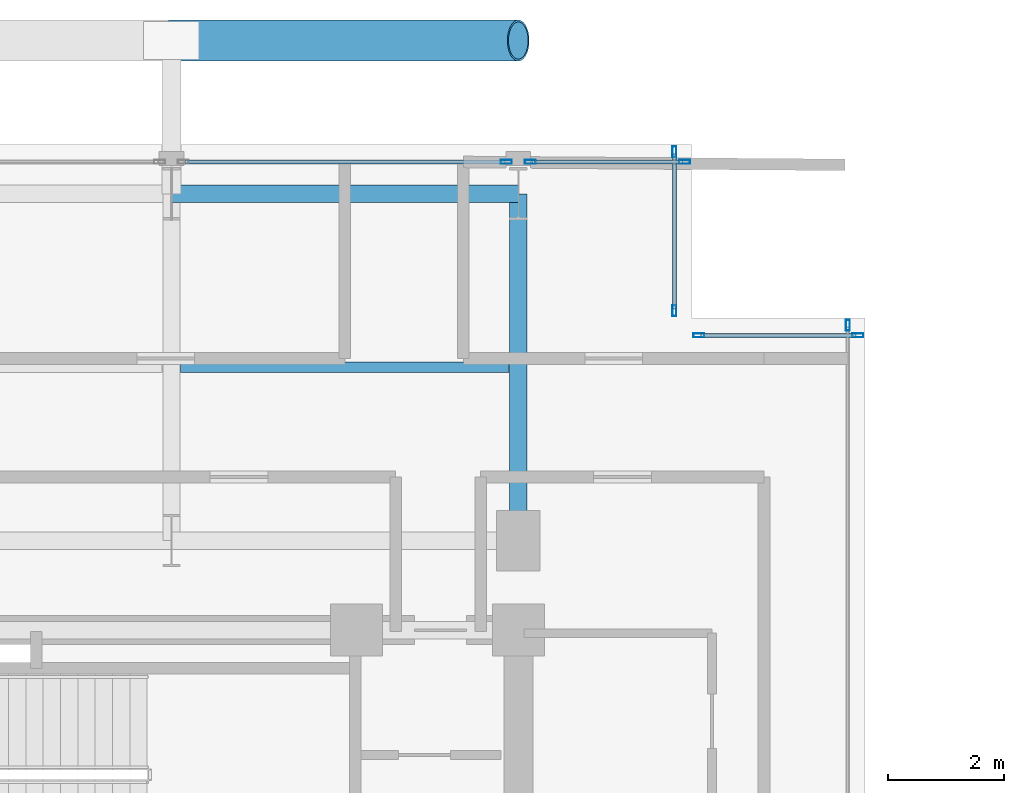
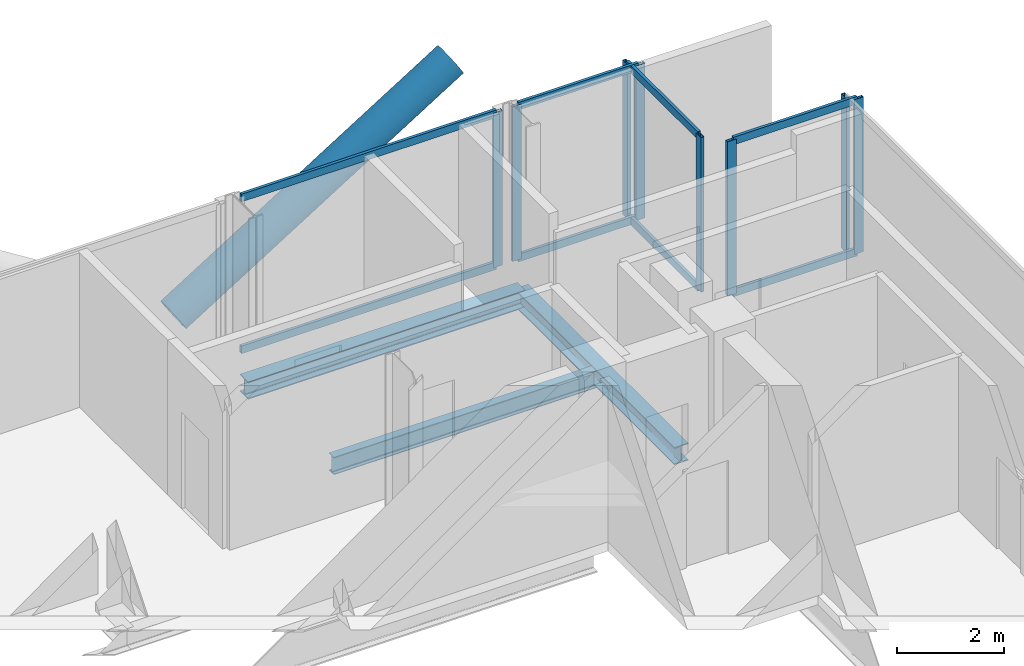
# One storey, part 14 of 22: 17 members, 3 beams, 5 elements without a shape of their own.
"""IFC4 building model written with IfcOpenShell, lengths in metres."""

from ifc_helpers import new_model, si_unit, direction, frame, origin, origin_2d, place, context, subcontext, project, spatial, hollow_rectangle, hollow_circle, i_section, extrude, material, layer, layer_set, material_profile, profile_set, type_object, element, aggregate, save


model = new_model("IFC4")

# Units and contexts
model_context = context("Model", 3, precision=1e-05, world=origin(), true_north=direction((0.0, 1.0)))
body_context = subcontext(model_context, "Body", "Model", "MODEL_VIEW")
ifc_project = project(units=[si_unit("LENGTHUNIT", "METRE"), si_unit("AREAUNIT", "SQUARE_METRE"), si_unit("VOLUMEUNIT", "CUBIC_METRE"), si_unit("PLANEANGLEUNIT", "RADIAN"), si_unit("MASSUNIT", "GRAM", prefix="KILO"), si_unit("THERMODYNAMICTEMPERATUREUNIT", "KELVIN"), si_unit("POWERUNIT", "WATT")], contexts=[model_context])

# Site, building, storey
site_placement = place(None, origin())
site = spatial("IfcSite", under=ifc_project, at=site_placement, CompositionType="ELEMENT")
building_placement = place(site_placement, origin())
building = spatial("IfcBuilding", under=site, at=building_placement, Name="Svarakhadi Broadcast Tower", CompositionType="ELEMENT")
storey_placement = place(building_placement, frame((0.0, 0.0, 176.699951171875)))
storey = spatial("IfcBuildingStorey", under=building, at=storey_placement, Name="L43", CompositionType="ELEMENT", Elevation=176.699951171875)

# Beam
ifc_material_1 = material(Name="Steel S355J2 (IS 2062 E350C)", Category="steel")
ifc_material_profile_1 = material_profile(ifc_material_1, i_section(OverallWidth=0.179931640625, OverallDepth=0.39990234375, WebThickness=0.008544921875, FlangeThickness=0.013427734375, FilletRadius=0.02099609375, at=origin_2d()), Name="NPB 400x180x66")
ifc_profile_set_1 = profile_set([ifc_material_profile_1], Name="Steel S355J2 (IS 2062 E350C)")
beam_type_1 = type_object("IfcBeamType", Name="Beam_NPB400", PredefinedType="BEAM", material=ifc_profile_set_1)
beam_placement = place(storey_placement, frame((12.159912109375, 32.14990234375, -0.409912109375), z_axis=(1.0, 0.0, 0.0), x_axis=(0.0, 1.0, 0.0)))
element("IfcBeam", 1, at=beam_placement, inside=storey, type_object=beam_type_1, Name="L43 Secondary Composite Beam SB012", PredefinedType="BEAM", context=body_context, shape_type="SweptSolid", body=[
    extrude(i_section(OverallWidth=0.179931640625, OverallDepth=0.39990234375, WebThickness=0.008544921875, FlangeThickness=0.013427734375, FilletRadius=0.02099609375, at=origin_2d()), origin(), (0.0, 0.0, 1.0), 5.68017578125),
])

# Curtain wall, member
ifc_material_2 = material(Name="Anodised Bronze Aluminium AA 6063-T6", Category="aluminium")
ifc_layer = layer(ifc_material_2, 0.18994140625)
ifc_layer_set = layer_set([ifc_layer], Name="Anodised Bronze Aluminium AA 6063-T6")
curtain_wall_type = type_object("IfcCurtainWallType", Name="CW_Sys_04", PredefinedType="NOTDEFINED", material=ifc_layer_set)
curtain_wall_1_placement = place(storey_placement, origin())
curtain_wall_1 = element("IfcCurtainWall", 2, at=curtain_wall_1_placement, inside=storey, type_object=curtain_wall_type, Name="L43 Unitised Facade Curtain Wall 06 Bay 2", PredefinedType="NOTDEFINED")
ifc_material_profile_2 = material_profile(ifc_material_2, hollow_rectangle(XDim=0.070068359375, YDim=0.18994140625, WallThickness=0.005615234375, at=origin_2d()), Name="ALU MULLION 190x70x6")
ifc_profile_set_2 = profile_set([ifc_material_profile_2], Name="Anodised Bronze Aluminium AA 6063-T6")
member_type_1 = type_object("IfcMemberType", Name="CW_Sys_04_Mul", PredefinedType="MULLION", material=ifc_profile_set_2)
member_1_placement = place(storey_placement, frame((17.794921875, 35.699951171875, 0.0), z_axis=(0.0, 0.0, 1.0), x_axis=(0.0, 1.0, 0.0)))
member_1 = element("IfcMember", 3, at=member_1_placement, type_object=member_type_1, Name="CW-04 mullion 2", PredefinedType="MULLION", context=body_context, shape_type="SweptSolid", body=[
    extrude(hollow_rectangle(XDim=0.070068359375, YDim=0.18994140625, WallThickness=0.005615234375, at=origin_2d()), origin(), (0.0, 0.0, 1.0), 3.5400390625),
])

# Curtain wall, members
curtain_wall_2_placement = place(storey_placement, origin())
curtain_wall_2 = element("IfcCurtainWall", 4, at=curtain_wall_2_placement, inside=storey, type_object=curtain_wall_type, Name="L43 Unitised Facade Curtain Wall 06 Bay 3", PredefinedType="NOTDEFINED")
member_2_placement = place(storey_placement, frame((18.205078125, 35.699951171875, 0.0), z_axis=(0.0, 0.0, 1.0), x_axis=(0.0, 1.0, 0.0)))
member_2 = element("IfcMember", 5, at=member_2_placement, type_object=member_type_1, Name="CW-04 mullion 1", PredefinedType="MULLION", context=body_context, shape_type="SweptSolid", body=[
    extrude(hollow_rectangle(XDim=0.070068359375, YDim=0.18994140625, WallThickness=0.005615234375, at=origin_2d()), origin(), (0.0, 0.0, 1.0), 3.5400390625),
])
member_3_placement = place(storey_placement, frame((20.875, 35.699951171875, 0.0), z_axis=(0.0, 0.0, 1.0), x_axis=(0.0, 1.0, 0.0)))
member_3 = element("IfcMember", 6, at=member_3_placement, type_object=member_type_1, Name="CW-04 mullion 2", PredefinedType="MULLION", context=body_context, shape_type="SweptSolid", body=[
    extrude(hollow_rectangle(XDim=0.070068359375, YDim=0.18994140625, WallThickness=0.005615234375, at=origin_2d()), origin(), (0.0, 0.0, 1.0), 3.5400390625),
])

curtain_wall_3_placement = place(storey_placement, origin())
curtain_wall_3 = element("IfcCurtainWall", 7, at=curtain_wall_3_placement, inside=storey, type_object=curtain_wall_type, Name="L43 Unitised Facade Curtain Wall 07", PredefinedType="NOTDEFINED")
member_4_placement = place(storey_placement, frame((20.699951171875, 35.875, 0.0), z_axis=(0.0, 0.0, 1.0), x_axis=(1.0, 0.0, 0.0)))
member_4 = element("IfcMember", 8, at=member_4_placement, type_object=member_type_1, Name="CW-04 mullion 1", PredefinedType="MULLION", context=body_context, shape_type="SweptSolid", body=[
    extrude(hollow_rectangle(XDim=0.070068359375, YDim=0.18994140625, WallThickness=0.005615234375, at=origin_2d()), origin(), (0.0, 0.0, 1.0), 3.5400390625),
])
member_5_placement = place(storey_placement, frame((20.699951171875, 33.125, 0.0), z_axis=(0.0, 0.0, 1.0), x_axis=(1.0, 0.0, 0.0)))
member_5 = element("IfcMember", 9, at=member_5_placement, type_object=member_type_1, Name="CW-04 mullion 2", PredefinedType="MULLION", context=body_context, shape_type="SweptSolid", body=[
    extrude(hollow_rectangle(XDim=0.070068359375, YDim=0.18994140625, WallThickness=0.005615234375, at=origin_2d()), origin(), (0.0, 0.0, 1.0), 3.5400390625),
])

curtain_wall_4_placement = place(storey_placement, origin())
curtain_wall_4 = element("IfcCurtainWall", 10, at=curtain_wall_4_placement, inside=storey, type_object=curtain_wall_type, Name="L43 Unitised Facade Curtain Wall 08", PredefinedType="NOTDEFINED")
member_6_placement = place(storey_placement, frame((21.125, 32.699951171875, 0.0), z_axis=(0.0, 0.0, 1.0), x_axis=(0.0, 1.0, 0.0)))
member_6 = element("IfcMember", 11, at=member_6_placement, type_object=member_type_1, Name="CW-04 mullion 1", PredefinedType="MULLION", context=body_context, shape_type="SweptSolid", body=[
    extrude(hollow_rectangle(XDim=0.070068359375, YDim=0.18994140625, WallThickness=0.005615234375, at=origin_2d()), origin(), (0.0, 0.0, 1.0), 3.5400390625),
])
member_7_placement = place(storey_placement, frame((23.875, 32.699951171875, 0.0), z_axis=(0.0, 0.0, 1.0), x_axis=(0.0, 1.0, 0.0)))
member_7 = element("IfcMember", 12, at=member_7_placement, type_object=member_type_1, Name="CW-04 mullion 2", PredefinedType="MULLION", context=body_context, shape_type="SweptSolid", body=[
    extrude(hollow_rectangle(XDim=0.070068359375, YDim=0.18994140625, WallThickness=0.005615234375, at=origin_2d()), origin(), (0.0, 0.0, 1.0), 3.5400390625),
])

# Curtain wall, member
curtain_wall_5_placement = place(storey_placement, origin())
curtain_wall_5 = element("IfcCurtainWall", 13, at=curtain_wall_5_placement, inside=storey, type_object=curtain_wall_type, Name="L43 Unitised Facade Curtain Wall 09", PredefinedType="NOTDEFINED")
member_8_placement = place(storey_placement, frame((23.699951171875, 32.875, 0.0), z_axis=(0.0, 0.0, 1.0), x_axis=(1.0, 0.0, 0.0)))
member_8 = element("IfcMember", 14, at=member_8_placement, type_object=member_type_1, Name="CW-04 mullion 1", PredefinedType="MULLION", context=body_context, shape_type="SweptSolid", body=[
    extrude(hollow_rectangle(XDim=0.070068359375, YDim=0.18994140625, WallThickness=0.005615234375, at=origin_2d()), origin(), (0.0, 0.0, 1.0), 3.5400390625),
])
aggregate(curtain_wall_5, [member_8])

# Member
ifc_material_profile_3 = material_profile(ifc_material_2, hollow_rectangle(XDim=0.06494140625, YDim=0.175048828125, WallThickness=0.0048828125, at=origin_2d()), Name="ALU TRANSOM 175x65x5")
ifc_profile_set_3 = profile_set([ifc_material_profile_3], Name="Anodised Bronze Aluminium AA 6063-T6")
member_type_2 = type_object("IfcMemberType", Name="CW_Sys_04_Trn", PredefinedType="USERDEFINED", material=ifc_profile_set_3)
member_9_placement = place(storey_placement, frame((12.239990234375, 35.699951171875, 0.032470703125), z_axis=(1.0, 0.0, 0.0), x_axis=(0.0, 1.0, 0.0)))
member_9 = element("IfcMember", 15, at=member_9_placement, type_object=member_type_2, Name="CW-04 transom 1.1", ObjectType="TRANSOM", PredefinedType="USERDEFINED", context=body_context, shape_type="SweptSolid", body=[
    extrude(hollow_rectangle(XDim=0.06494140625, YDim=0.175048828125, WallThickness=0.0048828125, at=origin_2d()), origin(), (0.0, 0.0, 1.0), 5.52001953125),
])

member_10_placement = place(storey_placement, frame((12.239990234375, 35.699951171875, 3.507568359375), z_axis=(1.0, 0.0, 0.0), x_axis=(0.0, 1.0, 0.0)))
member_10 = element("IfcMember", 16, at=member_10_placement, type_object=member_type_2, Name="CW-04 transom 1.2", ObjectType="TRANSOM", PredefinedType="USERDEFINED", context=body_context, shape_type="SweptSolid", body=[
    extrude(hollow_rectangle(XDim=0.06494140625, YDim=0.175048828125, WallThickness=0.0048828125, at=origin_2d()), origin(), (0.0, 0.0, 1.0), 5.52001953125),
])

aggregate(curtain_wall_1, [member_1, member_9, member_10])

member_11_placement = place(storey_placement, frame((18.239990234375, 35.699951171875, 0.032470703125), z_axis=(1.0, 0.0, 0.0), x_axis=(0.0, 1.0, 0.0)))
member_11 = element("IfcMember", 17, at=member_11_placement, type_object=member_type_2, Name="CW-04 transom 1.1", ObjectType="TRANSOM", PredefinedType="USERDEFINED", context=body_context, shape_type="SweptSolid", body=[
    extrude(hollow_rectangle(XDim=0.06494140625, YDim=0.175048828125, WallThickness=0.0048828125, at=origin_2d()), origin(), (0.0, 0.0, 1.0), 2.60009765625),
])

member_12_placement = place(storey_placement, frame((18.239990234375, 35.699951171875, 3.507568359375), z_axis=(1.0, 0.0, 0.0), x_axis=(0.0, 1.0, 0.0)))
member_12 = element("IfcMember", 18, at=member_12_placement, type_object=member_type_2, Name="CW-04 transom 1.2", ObjectType="TRANSOM", PredefinedType="USERDEFINED", context=body_context, shape_type="SweptSolid", body=[
    extrude(hollow_rectangle(XDim=0.06494140625, YDim=0.175048828125, WallThickness=0.0048828125, at=origin_2d()), origin(), (0.0, 0.0, 1.0), 2.60009765625),
])

aggregate(curtain_wall_2, [member_2, member_3, member_11, member_12])

member_13_placement = place(storey_placement, frame((20.699951171875, 35.840087890625, 0.032470703125), z_axis=(0.0, -1.0, 0.0), x_axis=(1.0, 0.0, 0.0)))
member_13 = element("IfcMember", 19, at=member_13_placement, type_object=member_type_2, Name="CW-04 transom 1.1", ObjectType="TRANSOM", PredefinedType="USERDEFINED", context=body_context, shape_type="SweptSolid", body=[
    extrude(hollow_rectangle(XDim=0.06494140625, YDim=0.175048828125, WallThickness=0.0048828125, at=origin_2d()), origin(), (0.0, 0.0, 1.0), 2.68017578125),
])

member_14_placement = place(storey_placement, frame((20.699951171875, 35.840087890625, 3.507568359375), z_axis=(0.0, -1.0, 0.0), x_axis=(1.0, 0.0, 0.0)))
member_14 = element("IfcMember", 20, at=member_14_placement, type_object=member_type_2, Name="CW-04 transom 1.2", ObjectType="TRANSOM", PredefinedType="USERDEFINED", context=body_context, shape_type="SweptSolid", body=[
    extrude(hollow_rectangle(XDim=0.06494140625, YDim=0.175048828125, WallThickness=0.0048828125, at=origin_2d()), origin(), (0.0, 0.0, 1.0), 2.68017578125),
])

aggregate(curtain_wall_3, [member_4, member_5, member_13, member_14])

member_15_placement = place(storey_placement, frame((21.159912109375, 32.699951171875, 0.032470703125), z_axis=(1.0, 0.0, 0.0), x_axis=(0.0, 1.0, 0.0)))
member_15 = element("IfcMember", 21, at=member_15_placement, type_object=member_type_2, Name="CW-04 transom 1.1", ObjectType="TRANSOM", PredefinedType="USERDEFINED", context=body_context, shape_type="SweptSolid", body=[
    extrude(hollow_rectangle(XDim=0.06494140625, YDim=0.175048828125, WallThickness=0.0048828125, at=origin_2d()), origin(), (0.0, 0.0, 1.0), 2.68017578125),
])

member_16_placement = place(storey_placement, frame((21.159912109375, 32.699951171875, 3.507568359375), z_axis=(1.0, 0.0, 0.0), x_axis=(0.0, 1.0, 0.0)))
member_16 = element("IfcMember", 22, at=member_16_placement, type_object=member_type_2, Name="CW-04 transom 1.2", ObjectType="TRANSOM", PredefinedType="USERDEFINED", context=body_context, shape_type="SweptSolid", body=[
    extrude(hollow_rectangle(XDim=0.06494140625, YDim=0.175048828125, WallThickness=0.0048828125, at=origin_2d()), origin(), (0.0, 0.0, 1.0), 2.68017578125),
])

aggregate(curtain_wall_4, [member_6, member_7, member_15, member_16])

ifc_material_3 = material(Name="Steel S460ML (IS 2062 E450BR)", Category="steel")
ifc_material_profile_4 = material_profile(ifc_material_3, hollow_circle(Radius=0.35546875, WallThickness=0.034912109375, at=origin_2d()), Name="CHS 711x35")
ifc_profile_set_4 = profile_set([ifc_material_profile_4], Name="Steel S460ML (IS 2062 E450BR)")
member_type_3 = type_object("IfcMemberType", Name="Exo_Brace_CHS711", PredefinedType="BRACE", material=ifc_profile_set_4)
member_17_placement = place(storey_placement, frame((12.0, 37.800048828125, -0.371826171875), z_axis=(0.847998304005, 0.0, 0.529998940003), x_axis=(0.0, 1.0, 0.0)))
element("IfcMember", 23, at=member_17_placement, inside=storey, type_object=member_type_3, Name="L43 Exposed Bronze Exoskeleton Diagonal N07", PredefinedType="BRACE", context=body_context, shape_type="SweptSolid", body=[
    extrude(hollow_circle(Radius=0.35546875, WallThickness=0.034912109375, at=origin_2d()), origin(), (0.0, 0.0, 1.0), 7.075439453125),
])

# Beams
ifc_material_profile_5 = material_profile(ifc_material_1, i_section(OverallWidth=0.300048828125, OverallDepth=0.39990234375, WebThickness=0.013427734375, FlangeThickness=0.02392578125, FilletRadius=0.027099609375, at=origin_2d()), Name="WPB 400x300x155")
ifc_profile_set_5 = profile_set([ifc_material_profile_5], Name="Steel S355J2 (IS 2062 E350C)")
beam_type_2 = type_object("IfcBeamType", Name="Girder_WPB400", PredefinedType="USERDEFINED", material=ifc_profile_set_5)
for number, where, z_axis, x_axis, name in (
    (24, (12.0, 35.14990234375, -0.409912109375), (1.0, 0.0, 0.0), (0.0, 1.0, 0.0), "L43 Primary E-W Girder G032"),
    (25, (18.0, 29.14990234375, -0.409912109375), (0.0, 1.0, 0.0), (-1.0, 0.0, 0.0), "L43 Primary N-S Girder G050"),
):
    element("IfcBeam", number, at=place(storey_placement, frame(where, z_axis=z_axis, x_axis=x_axis)), inside=storey, type_object=beam_type_2, Name=name, ObjectType="GIRDER", PredefinedType="USERDEFINED", context=body_context, shape_type="SweptSolid", body=[
        extrude(i_section(OverallWidth=0.300048828125, OverallDepth=0.39990234375, WebThickness=0.013427734375, FlangeThickness=0.02392578125, FilletRadius=0.027099609375, at=origin_2d()), origin(), (0.0, 0.0, 1.0), 6.0),
    ])

save(model, "model.ifc")
